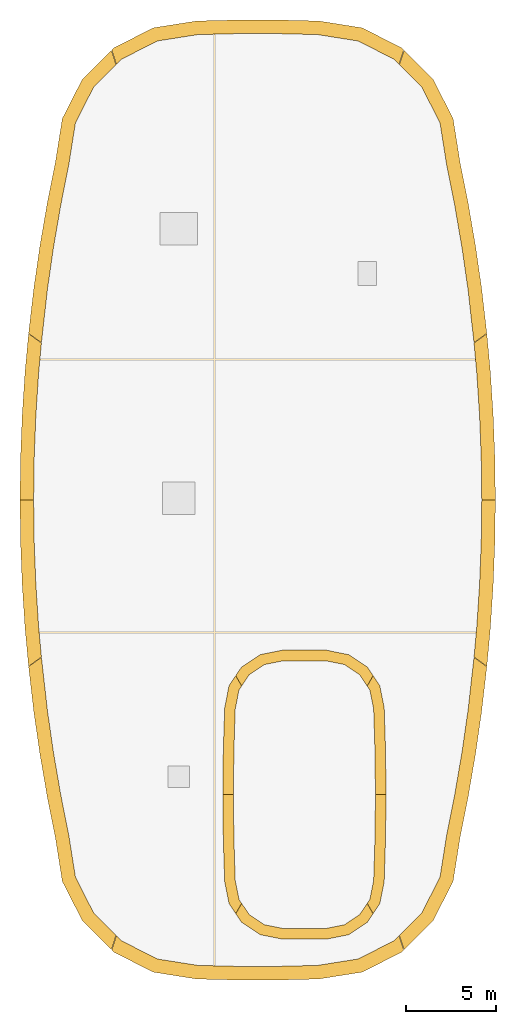
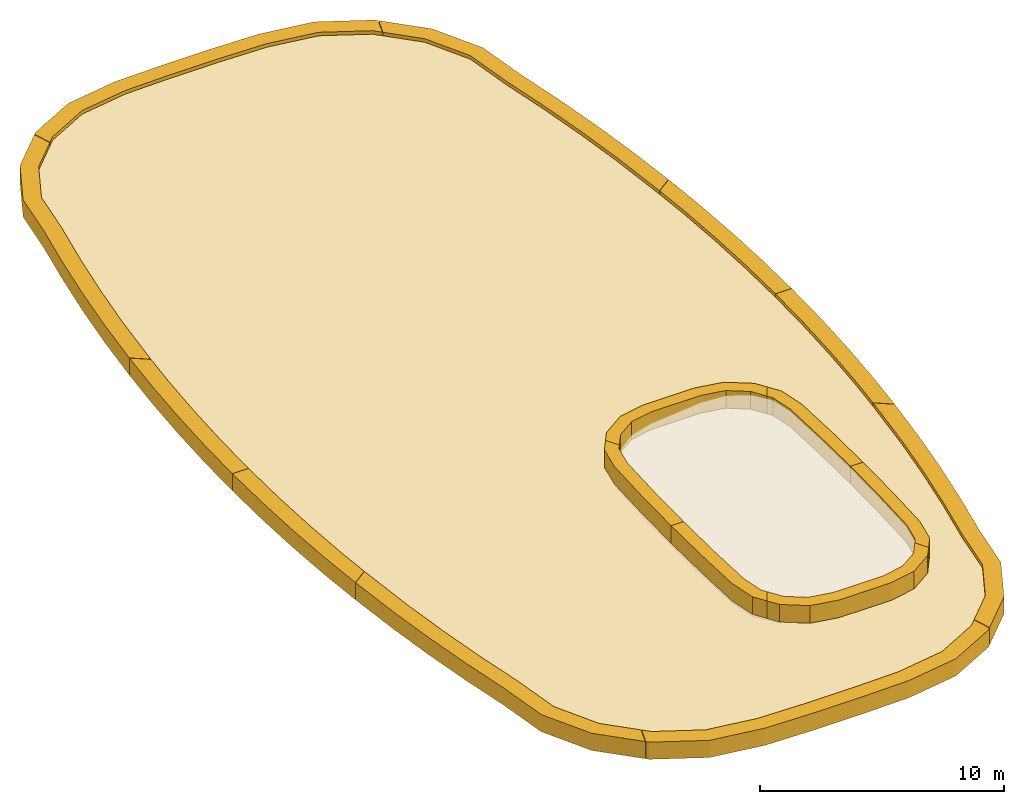
# One storey, part 2 of 2: 17 coverings.
"""IFC4 building model written with IfcOpenShell, lengths in metres."""

from ifc_helpers import new_model, si_unit, direction, frame, origin, place, context, subcontext, project, spatial, polyline, outline, extrude, material, layer, layer_set, type_object, element, save


model = new_model("IFC4")

# Units and contexts
model_context = context("Model", 3, precision=1e-05, world=origin(), true_north=direction((0.0, 1.0)))
body_context = subcontext(model_context, "Body", "Model", "MODEL_VIEW")
ifc_project = project(units=[si_unit("LENGTHUNIT", "METRE"), si_unit("AREAUNIT", "SQUARE_METRE"), si_unit("VOLUMEUNIT", "CUBIC_METRE"), si_unit("PLANEANGLEUNIT", "RADIAN"), si_unit("MASSUNIT", "GRAM", prefix="KILO")], contexts=[model_context])

# Site, building, storey
site_placement = place(None, origin())
site = spatial("IfcSite", under=ifc_project, at=site_placement, CompositionType="ELEMENT")
building_placement = place(site_placement, origin())
building = spatial("IfcBuilding", under=site, at=building_placement, Name="Corveleigh Park Community Centre", CompositionType="ELEMENT")
storey_placement = place(building_placement, frame((0.0, 0.0, 23.39990234375)))
storey = spatial("IfcBuildingStorey", under=building, at=storey_placement, Name="Roof", CompositionType="ELEMENT", Elevation=23.39990234375)

# Coverings
ifc_material_1 = material(Name="White architectural fascia cladding", Category="masonry")
ifc_layer_1 = layer(ifc_material_1, 0.074951171875, Name="White architectural fascia cladding", Category="masonry")
ifc_layer_set_1 = layer_set([ifc_layer_1], Name="White architectural fascia cladding")
covering_type_1 = type_object("IfcCoveringType", Name="COV-CLD-WHT", PredefinedType="CLADDING", material=ifc_layer_set_1)
covering_1_placement = place(storey_placement, frame((0.0, 0.0, -0.619873046875)))
element("IfcCovering", 1, at=covering_1_placement, inside=storey, type_object=covering_type_1, Name="Learning Pebble Crown Overhang White Fascia 1", PredefinedType="CLADDING", context=body_context, shape_type="SweptSolid", body=[
    extrude(outline(polyline([(173.35205078125, 88.4990234375), (173.506103515625, 86.135986328125), (173.59912109375, 83.76904296875), (173.6298828125, 81.406982421875), (172.8701171875, 81.406005859375), (172.839111328125, 83.7490234375), (172.7470703125, 86.094970703125), (172.593994140625, 88.43896484375), (172.43798828125, 90.136962890625), (173.154052734375, 90.656982421875), (173.35205078125, 88.4990234375)])), origin(), (0.0, 0.0, 1.0), 0.85986328125),
])
covering_2_placement = place(storey_placement, frame((0.0, 0.0, -0.619873046875)))
element("IfcCovering", 2, at=covering_2_placement, inside=storey, type_object=covering_type_1, Name="Learning Pebble Crown Overhang White Fascia 2", PredefinedType="CLADDING", context=body_context, shape_type="SweptSolid", body=[
    extrude(outline(polyline([(170.152099609375, 104.826904296875), (171.27490234375, 102.62890625), (171.658935546875, 100.2109375), (172.118896484375, 97.887939453125), (172.51904296875, 95.553955078125), (172.85888671875, 93.208984375), (173.152099609375, 90.675048828125), (172.43701171875, 90.155029296875), (172.10498046875, 93.111083984375), (171.76904296875, 95.43603515625), (171.3720703125, 97.7509765625), (170.908935546875, 100.090087890625), (170.5439453125, 102.39111328125), (169.537109375, 104.367919921875), (168.282958984375, 105.6220703125), (168.547119140625, 106.431884765625), (170.152099609375, 104.826904296875)])), origin(), (0.0, 0.0, 1.0), 0.85986328125),
])
covering_3_placement = place(storey_placement, frame((0.0, 0.0, -0.619873046875)))
element("IfcCovering", 3, at=covering_3_placement, inside=storey, type_object=covering_type_1, Name="Learning Pebble Crown Overhang White Fascia 3", PredefinedType="CLADDING", context=body_context, shape_type="SweptSolid", body=[
    extrude(outline(polyline([(152.373046875, 106.552001953125), (154.5810546875, 107.677001953125), (156.9990234375, 108.06005859375), (159.26611328125, 108.114990234375), (161.533935546875, 108.114990234375), (163.80908203125, 108.05908203125), (166.218994140625, 107.677001953125), (168.412109375, 106.56298828125), (168.52587890625, 106.452880859375), (168.262939453125, 105.64208984375), (167.968017578125, 105.93701171875), (165.990966796875, 106.944091796875), (163.736083984375, 107.301025390625), (161.52587890625, 107.35498046875), (159.27392578125, 107.35498046875), (157.06396484375, 107.301025390625), (154.80908203125, 106.944091796875), (152.83203125, 105.93701171875), (152.537109375, 105.64208984375), (152.27392578125, 106.452880859375), (152.373046875, 106.552001953125)])), origin(), (0.0, 0.0, 1.0), 0.85986328125),
])
covering_4_placement = place(storey_placement, frame((0.0, 0.0, -0.619873046875)))
element("IfcCovering", 4, at=covering_4_placement, inside=storey, type_object=covering_type_1, Name="Learning Pebble Crown Overhang White Fascia 4", PredefinedType="CLADDING", context=body_context, shape_type="SweptSolid", body=[
    extrude(outline(polyline([(147.64794921875, 90.675048828125), (147.94189453125, 93.2109375), (148.281005859375, 95.554931640625), (148.680908203125, 97.887939453125), (149.14111328125, 100.2109375), (149.52490234375, 102.62890625), (150.64111328125, 104.820068359375), (152.2529296875, 106.431884765625), (152.51708984375, 105.6220703125), (151.262939453125, 104.367919921875), (150.256103515625, 102.39111328125), (149.89111328125, 100.090087890625), (149.427978515625, 97.7509765625), (149.031005859375, 95.43603515625), (148.695068359375, 93.111083984375), (148.363037109375, 90.155029296875), (147.64794921875, 90.675048828125)])), origin(), (0.0, 0.0, 1.0), 0.85986328125),
])
covering_5_placement = place(storey_placement, frame((0.0, 0.0, -0.619873046875)))
element("IfcCovering", 5, at=covering_5_placement, inside=storey, type_object=covering_type_1, Name="Learning Pebble Crown Overhang White Fascia 5", PredefinedType="CLADDING", context=body_context, shape_type="SweptSolid", body=[
    extrude(outline(polyline([(147.200927734375, 83.76806640625), (147.2939453125, 86.135986328125), (147.447998046875, 88.498046875), (147.64599609375, 90.656982421875), (148.362060546875, 90.136962890625), (148.2060546875, 88.43896484375), (148.052978515625, 86.094970703125), (147.9609375, 83.7490234375), (147.929931640625, 81.406005859375), (147.169921875, 81.406982421875), (147.200927734375, 83.76806640625)])), origin(), (0.0, 0.0, 1.0), 0.85986328125),
])
covering_6_placement = place(storey_placement, frame((0.0, 0.0, -0.619873046875)))
element("IfcCovering", 6, at=covering_6_placement, inside=storey, type_object=covering_type_1, Name="Learning Pebble Crown Overhang White Fascia 6", PredefinedType="CLADDING", context=body_context, shape_type="SweptSolid", body=[
    extrude(outline(polyline([(147.447998046875, 74.301025390625), (147.2939453125, 76.6640625), (147.200927734375, 79.031005859375), (147.169921875, 81.39306640625), (147.929931640625, 81.39404296875), (147.9609375, 79.051025390625), (148.052978515625, 76.705078125), (148.2060546875, 74.361083984375), (148.362060546875, 72.6630859375), (147.64599609375, 72.14306640625), (147.447998046875, 74.301025390625)])), origin(), (0.0, 0.0, 1.0), 0.85986328125),
])
covering_7_placement = place(storey_placement, frame((0.0, 0.0, -0.619873046875)))
element("IfcCovering", 7, at=covering_7_placement, inside=storey, type_object=covering_type_1, Name="Learning Pebble Crown Overhang White Fascia 7", PredefinedType="CLADDING", context=body_context, shape_type="SweptSolid", body=[
    extrude(outline(polyline([(150.64794921875, 57.972900390625), (149.52490234375, 60.1708984375), (149.14111328125, 62.589111328125), (148.680908203125, 64.912109375), (148.281005859375, 67.24609375), (147.94091796875, 69.591064453125), (147.64794921875, 72.125), (148.363037109375, 72.64501953125), (148.695068359375, 69.68896484375), (149.031005859375, 67.364013671875), (149.427978515625, 65.049072265625), (149.89111328125, 62.7099609375), (150.256103515625, 60.408935546875), (151.262939453125, 58.431884765625), (152.51708984375, 57.177978515625), (152.2529296875, 56.367919921875), (150.64794921875, 57.972900390625)])), origin(), (0.0, 0.0, 1.0), 0.85986328125),
])
covering_8_placement = place(storey_placement, frame((0.0, 0.0, -0.619873046875)))
element("IfcCovering", 8, at=covering_8_placement, inside=storey, type_object=covering_type_1, Name="Learning Pebble Crown Overhang White Fascia 8", PredefinedType="CLADDING", context=body_context, shape_type="SweptSolid", body=[
    extrude(outline(polyline([(154.571044921875, 55.125), (152.373046875, 56.248046875), (152.27392578125, 56.346923828125), (152.537109375, 57.157958984375), (152.83203125, 56.863037109375), (154.80908203125, 55.85595703125), (157.06396484375, 55.4990234375), (159.27392578125, 55.445068359375), (161.52587890625, 55.445068359375), (163.736083984375, 55.4990234375), (165.990966796875, 55.85595703125), (167.968017578125, 56.863037109375), (168.262939453125, 57.157958984375), (168.52587890625, 56.346923828125), (168.412109375, 56.237060546875), (166.22900390625, 55.125), (163.801025390625, 54.739990234375), (161.533935546875, 54.68505859375), (159.26611328125, 54.68505859375), (156.9990234375, 54.739990234375), (154.571044921875, 55.125)])), origin(), (0.0, 0.0, 1.0), 0.85986328125),
])
covering_9_placement = place(storey_placement, frame((0.0, 0.0, -0.619873046875)))
element("IfcCovering", 9, at=covering_9_placement, inside=storey, type_object=covering_type_1, Name="Learning Pebble Crown Overhang White Fascia 9", PredefinedType="CLADDING", context=body_context, shape_type="SweptSolid", body=[
    extrude(outline(polyline([(173.152099609375, 72.125), (172.85791015625, 69.589111328125), (172.51904296875, 67.2451171875), (172.118896484375, 64.912109375), (171.658935546875, 62.589111328125), (171.27490234375, 60.1708984375), (170.158935546875, 57.97998046875), (168.547119140625, 56.367919921875), (168.282958984375, 57.177978515625), (169.537109375, 58.431884765625), (170.5439453125, 60.408935546875), (170.908935546875, 62.7099609375), (171.3720703125, 65.049072265625), (171.76904296875, 67.364013671875), (172.10498046875, 69.68896484375), (172.43701171875, 72.64501953125), (173.152099609375, 72.125)])), origin(), (0.0, 0.0, 1.0), 0.85986328125),
])
covering_10_placement = place(storey_placement, frame((0.0, 0.0, -0.619873046875)))
element("IfcCovering", 10, at=covering_10_placement, inside=storey, type_object=covering_type_1, Name="Learning Pebble Crown Overhang White Fascia 10", PredefinedType="CLADDING", context=body_context, shape_type="SweptSolid", body=[
    extrude(outline(polyline([(173.59912109375, 79.031982421875), (173.506103515625, 76.6640625), (173.35205078125, 74.302001953125), (173.154052734375, 72.14306640625), (172.43798828125, 72.6630859375), (172.593994140625, 74.361083984375), (172.7470703125, 76.705078125), (172.839111328125, 79.051025390625), (172.8701171875, 81.39404296875), (173.6298828125, 81.39306640625), (173.59912109375, 79.031982421875)])), origin(), (0.0, 0.0, 1.0), 0.85986328125),
])
covering_11_placement = place(storey_placement, frame((0.0, 0.0, 2.75)))
element("IfcCovering", 11, at=covering_11_placement, inside=storey, type_object=covering_type_1, Name="Lantern Cap Overhang White Fascia 1", PredefinedType="CLADDING", context=body_context, shape_type="SweptSolid", body=[
    extrude(outline(polyline([(167.19189453125, 71.06591796875), (167.43994140625, 69.8330078125), (167.51611328125, 67.41796875), (167.541015625, 65.001953125), (166.950927734375, 65.001953125), (166.926025390625, 67.406005859375), (166.85205078125, 69.76904296875), (166.64111328125, 70.8291015625), (166.4951171875, 71.047119140625), (166.823974609375, 71.616943359375), (167.19189453125, 71.06591796875)])), origin(), (0.0, 0.0, 1.0), 0.880126953125),
])
covering_12_placement = place(storey_placement, frame((0.0, 0.0, 2.75)))
element("IfcCovering", 12, at=covering_12_placement, inside=storey, type_object=covering_type_1, Name="Lantern Cap Overhang White Fascia 2", PredefinedType="CLADDING", context=body_context, shape_type="SweptSolid", body=[
    extrude(outline(polyline([(159.4951171875, 72.093994140625), (160.548095703125, 72.798095703125), (161.76806640625, 73.0400390625), (164.23193359375, 73.0400390625), (165.466064453125, 72.7919921875), (166.5, 72.10009765625), (166.820068359375, 71.6240234375), (166.490966796875, 71.053955078125), (166.074951171875, 71.675048828125), (165.22900390625, 72.240966796875), (164.176025390625, 72.449951171875), (161.823974609375, 72.449951171875), (160.77099609375, 72.240966796875), (159.925048828125, 71.675048828125), (159.509033203125, 71.053955078125), (159.179931640625, 71.6240234375), (159.4951171875, 72.093994140625)])), origin(), (0.0, 0.0, 1.0), 0.880126953125),
])
covering_13_placement = place(storey_placement, frame((0.0, 0.0, 2.75)))
element("IfcCovering", 13, at=covering_13_placement, inside=storey, type_object=covering_type_1, Name="Lantern Cap Overhang White Fascia 3", PredefinedType="CLADDING", context=body_context, shape_type="SweptSolid", body=[
    extrude(outline(polyline([(158.48388671875, 67.4169921875), (158.56103515625, 69.840087890625), (158.803955078125, 71.05908203125), (159.176025390625, 71.616943359375), (159.5048828125, 71.047119140625), (159.35888671875, 70.8291015625), (159.14794921875, 69.76904296875), (159.073974609375, 67.406005859375), (159.049072265625, 65.001953125), (158.458984375, 65.001953125), (158.48388671875, 67.4169921875)])), origin(), (0.0, 0.0, 1.0), 0.880126953125),
])
covering_14_placement = place(storey_placement, frame((0.0, 0.0, 2.75)))
element("IfcCovering", 14, at=covering_14_placement, inside=storey, type_object=covering_type_1, Name="Lantern Cap Overhang White Fascia 4", PredefinedType="CLADDING", context=body_context, shape_type="SweptSolid", body=[
    extrude(outline(polyline([(158.80810546875, 58.93408203125), (158.56005859375, 60.1669921875), (158.48388671875, 62.58203125), (158.458984375, 64.998046875), (159.049072265625, 64.998046875), (159.073974609375, 62.593994140625), (159.14794921875, 60.23095703125), (159.35888671875, 59.1708984375), (159.5048828125, 58.952880859375), (159.176025390625, 58.383056640625), (158.80810546875, 58.93408203125)])), origin(), (0.0, 0.0, 1.0), 0.880126953125),
])
covering_15_placement = place(storey_placement, frame((0.0, 0.0, 2.75)))
element("IfcCovering", 15, at=covering_15_placement, inside=storey, type_object=covering_type_1, Name="Lantern Cap Overhang White Fascia 5", PredefinedType="CLADDING", context=body_context, shape_type="SweptSolid", body=[
    extrude(outline(polyline([(160.541015625, 57.2041015625), (159.5, 57.89990234375), (159.179931640625, 58.3759765625), (159.509033203125, 58.946044921875), (159.925048828125, 58.324951171875), (160.77099609375, 57.759033203125), (161.823974609375, 57.550048828125), (164.176025390625, 57.550048828125), (165.22900390625, 57.759033203125), (166.074951171875, 58.324951171875), (166.490966796875, 58.946044921875), (166.820068359375, 58.3759765625), (166.5, 57.89990234375), (165.466064453125, 57.2080078125), (164.239990234375, 56.9609375), (161.76806640625, 56.9599609375), (160.541015625, 57.2041015625)])), origin(), (0.0, 0.0, 1.0), 0.880126953125),
])
covering_16_placement = place(storey_placement, frame((0.0, 0.0, 2.75)))
element("IfcCovering", 16, at=covering_16_placement, inside=storey, type_object=covering_type_1, Name="Lantern Cap Overhang White Fascia 6", PredefinedType="CLADDING", context=body_context, shape_type="SweptSolid", body=[
    extrude(outline(polyline([(167.51611328125, 62.5830078125), (167.43896484375, 60.159912109375), (167.196044921875, 58.94091796875), (166.823974609375, 58.383056640625), (166.4951171875, 58.952880859375), (166.64111328125, 59.1708984375), (166.85205078125, 60.23095703125), (166.926025390625, 62.593994140625), (166.950927734375, 64.998046875), (167.541015625, 64.998046875), (167.51611328125, 62.5830078125)])), origin(), (0.0, 0.0, 1.0), 0.880126953125),
])
ifc_material_2 = material(Name="Standing-seam zinc roofing", Category="aluminium")
ifc_layer_2 = layer(ifc_material_2, 0.06494140625, Name="Standing-seam zinc roofing", Category="aluminium")
ifc_layer_set_2 = layer_set([ifc_layer_2], Name="Standing-seam zinc roofing")
covering_type_2 = type_object("IfcCoveringType", Name="COV-ROF-ZINC", PredefinedType="ROOFING", material=ifc_layer_set_2)
covering_17_placement = place(storey_placement, origin())
element("IfcCovering", 17, at=covering_17_placement, inside=storey, type_object=covering_type_2, Name="Standing-seam zinc crown roof", PredefinedType="ROOFING", context=body_context, shape_type="SweptSolid", body=[
    extrude(outline(polyline([(154.79296875, 55.80810546875), (152.802001953125, 56.822021484375), (151.221923828125, 58.402099609375), (150.2080078125, 60.39306640625), (149.842041015625, 62.701904296875), (149.37890625, 65.0400390625), (148.98193359375, 67.35595703125), (148.64599609375, 69.68310546875), (148.37109375, 72.01708984375), (148.156005859375, 74.35693359375), (148.0029296875, 76.701904296875), (147.910888671875, 79.050048828125), (147.8798828125, 81.39990234375), (147.910888671875, 83.75), (148.0029296875, 86.097900390625), (148.156005859375, 88.443115234375), (148.37109375, 90.782958984375), (148.64599609375, 93.116943359375), (148.98193359375, 95.444091796875), (149.37890625, 97.760009765625), (149.842041015625, 100.097900390625), (150.2080078125, 102.406982421875), (151.221923828125, 104.39794921875), (152.802001953125, 105.97802734375), (154.79296875, 106.991943359375), (157.05908203125, 107.35107421875), (159.27392578125, 107.405029296875), (163.740966796875, 107.35107421875), (166.007080078125, 106.991943359375), (167.998046875, 105.97802734375), (169.577880859375, 104.39794921875), (170.592041015625, 102.406982421875), (170.9580078125, 100.097900390625), (171.4208984375, 97.760009765625), (171.818115234375, 95.444091796875), (172.154052734375, 93.116943359375), (172.428955078125, 90.782958984375), (172.64404296875, 88.443115234375), (172.797119140625, 86.097900390625), (172.888916015625, 83.75), (172.919921875, 81.39990234375), (172.888916015625, 79.050048828125), (172.797119140625, 76.701904296875), (172.64404296875, 74.35693359375), (172.428955078125, 72.01708984375), (172.154052734375, 69.68310546875), (171.818115234375, 67.35595703125), (171.4208984375, 65.0400390625), (170.9580078125, 62.701904296875), (170.592041015625, 60.39306640625), (169.577880859375, 58.402099609375), (167.998046875, 56.822021484375), (166.007080078125, 55.80810546875), (163.740966796875, 55.448974609375), (161.52587890625, 55.39501953125), (157.05908203125, 55.448974609375), (154.79296875, 55.80810546875)])), origin(), (0.0, 0.0, 1.0), 0.065185546875),
])

save(model, "model.ifc")
